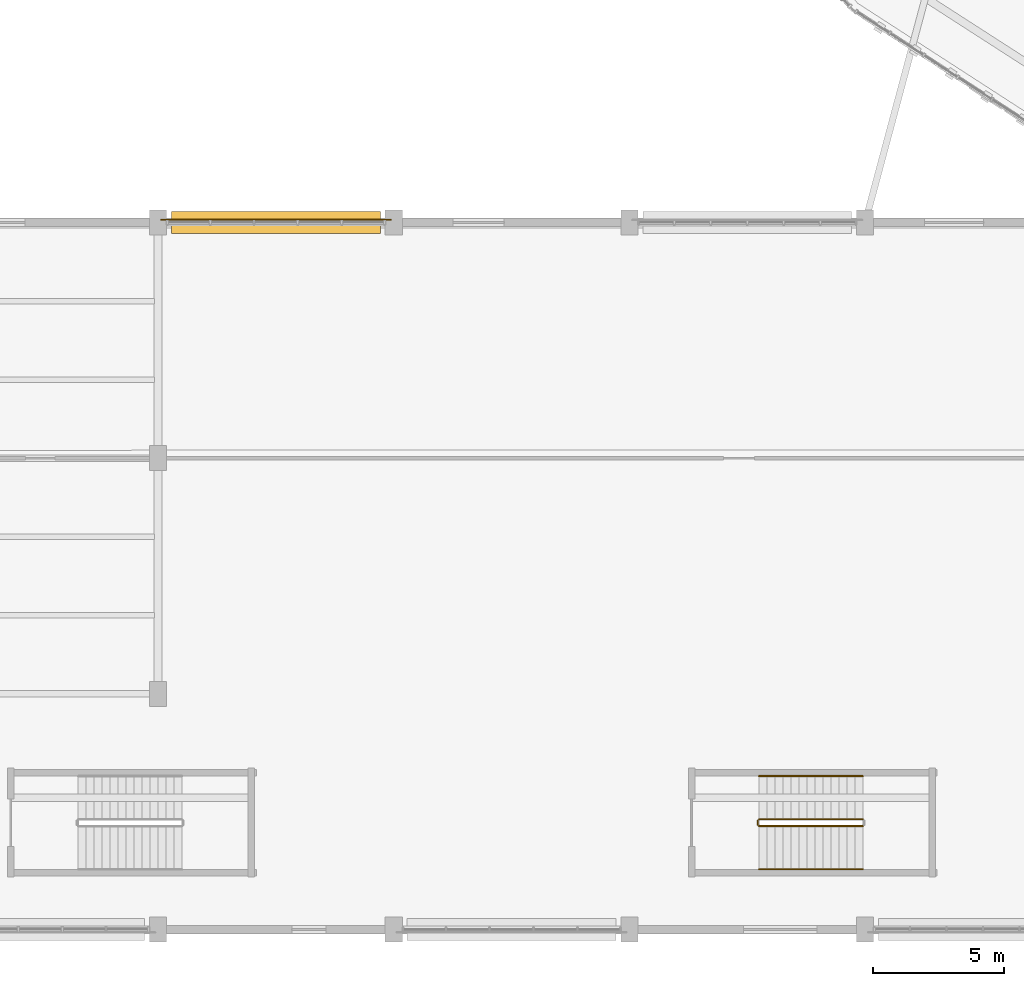
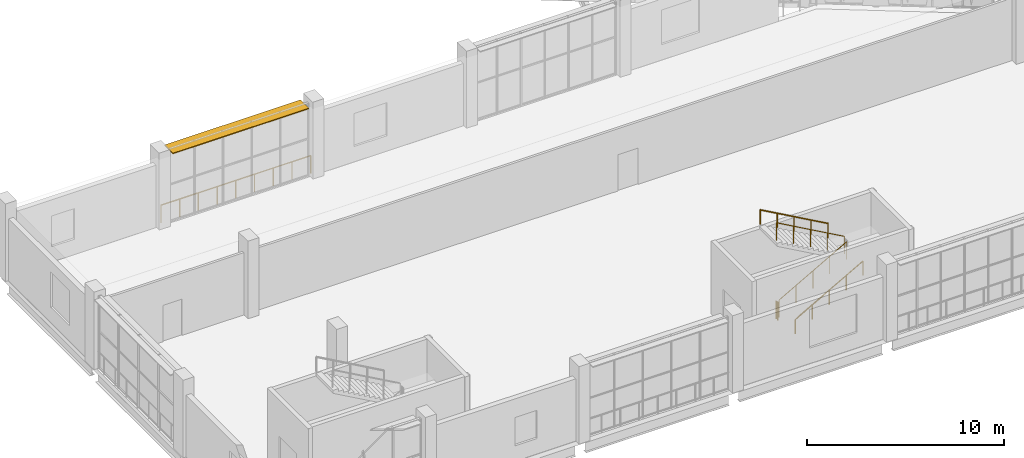
# One storey, part 126 of 179: 6 railings, 1 shading device.
"""IFC4 building model written with IfcOpenShell, lengths in metres."""

from ifc_helpers import new_model, si_unit, direction, frame, origin, origin_2d, place, context, subcontext, project, spatial, rectangle, circle, extrude, material, layer, layer_set, type_object, element, save


model = new_model("IFC4")

# Units and contexts
model_context = context("Model", 3, precision=1e-05, world=origin(), true_north=direction((0.0, 1.0)))
body_context = subcontext(model_context, "Body", "Model", "MODEL_VIEW")
ifc_project = project(units=[si_unit("LENGTHUNIT", "METRE"), si_unit("AREAUNIT", "SQUARE_METRE"), si_unit("VOLUMEUNIT", "CUBIC_METRE"), si_unit("PLANEANGLEUNIT", "RADIAN"), si_unit("MASSUNIT", "GRAM", prefix="KILO")], contexts=[model_context])

# Site, building, storey
site_placement = place(None, origin())
site = spatial("IfcSite", under=ifc_project, at=site_placement, CompositionType="ELEMENT")
building_placement = place(site_placement, origin())
building = spatial("IfcBuilding", under=site, at=building_placement, Name="Zevraka Park Crest Stadium", CompositionType="ELEMENT")
storey_placement = place(building_placement, frame((0.0, 0.0, 10.199951171875)))
storey = spatial("IfcBuildingStorey", under=building, at=storey_placement, Name="L02", CompositionType="ELEMENT", Elevation=10.199951171875)

# Railings
ifc_material_1 = material(Name="Galvanised and bronze-finished steel balustrade", Category="steel")
railing_type_1 = type_object("IfcRailingType", Name="GR01", PredefinedType="GUARDRAIL", material=ifc_material_1)
railing_1_placement = place(storey_placement, frame((18.115966796875, 27.10498046875, 0.0)))
element("IfcRailing", 1, at=railing_1_placement, inside=storey, type_object=railing_type_1, Name="Deck Edge Protection Guardrail GR01 L02-42", PredefinedType="GUARDRAIL", context=body_context, shape_type="SweptSolid", body=[
    extrude(circle(Radius=0.02392578125, at=origin_2d()), frame((0.0, 0.0, 1.076171875), z_axis=(1.0, 0.0, 0.0), x_axis=(0.0, 1.0, 0.0)), (0.0, 0.0, 1.0), 8.76806640625),
    extrude(circle(Radius=0.02099609375, at=origin_2d()), origin(), (0.0, 0.0, 1.0), 1.052001953125),
    extrude(circle(Radius=0.02099609375, at=origin_2d()), frame((1.095947265625, 0.0, 0.0)), (0.0, 0.0, 1.0), 1.052001953125),
    extrude(circle(Radius=0.02099609375, at=origin_2d()), frame((2.19189453125, 0.0, 0.0)), (0.0, 0.0, 1.0), 1.052001953125),
    extrude(circle(Radius=0.02099609375, at=origin_2d()), frame((3.2880859375, 0.0, 0.0)), (0.0, 0.0, 1.0), 1.052001953125),
    extrude(circle(Radius=0.02099609375, at=origin_2d()), frame((4.384033203125, 0.0, 0.0)), (0.0, 0.0, 1.0), 1.052001953125),
    extrude(circle(Radius=0.02099609375, at=origin_2d()), frame((5.47998046875, 0.0, 0.0)), (0.0, 0.0, 1.0), 1.052001953125),
    extrude(circle(Radius=0.02099609375, at=origin_2d()), frame((6.576171875, 0.0, 0.0)), (0.0, 0.0, 1.0), 1.052001953125),
    extrude(circle(Radius=0.02099609375, at=origin_2d()), frame((7.672119140625, 0.0, 0.0)), (0.0, 0.0, 1.0), 1.052001953125),
    extrude(circle(Radius=0.02099609375, at=origin_2d()), frame((8.76806640625, 0.0, 0.0)), (0.0, 0.0, 1.0), 1.052001953125),
])
ifc_material_2 = material(Name="Powder-coated tubular steel stairwell guard", Category="steel")
railing_type_2 = type_object("IfcRailingType", Name="GR03", PredefinedType="GUARDRAIL", material=ifc_material_2)
railing_2_placement = place(storey_placement, frame((40.949951171875, 3.949951171875, 0.17138671875)))
element("IfcRailing", 2, at=railing_2_placement, inside=storey, type_object=railing_type_2, Name="L02 ST52 stair guard 1", PredefinedType="GUARDRAIL", context=body_context, shape_type="SweptSolid", body=[
    extrude(circle(Radius=0.02392578125, at=origin_2d()), frame((0.0, 0.0, 1.076171875), z_axis=(0.871726007364, 0.0, 0.489993640861), x_axis=(0.0, 1.0, 0.0)), (0.0, 0.0, 1.0), 4.548583984375),
    extrude(circle(Radius=0.02099609375, at=origin_2d()), origin(), (0.0, 0.0, 1.0), 1.052001953125),
    extrude(circle(Radius=0.02099609375, at=origin_2d()), frame((0.9912109375, 0.0, 0.55712890625)), (0.0, 0.0, 1.0), 1.052001953125),
    extrude(circle(Radius=0.02099609375, at=origin_2d()), frame((1.982421875, 0.0, 1.1142578125)), (0.0, 0.0, 1.0), 1.052001953125),
    extrude(circle(Radius=0.02099609375, at=origin_2d()), frame((2.973876953125, 0.0, 1.671630859375)), (0.0, 0.0, 1.0), 1.052001953125),
    extrude(circle(Radius=0.02099609375, at=origin_2d()), frame((3.965087890625, 0.0, 2.228759765625)), (0.0, 0.0, 1.0), 1.052001953125),
])
railing_3_placement = place(storey_placement, frame((44.9150390625, 4.2099609375, 2.571533203125)))
element("IfcRailing", 3, at=railing_3_placement, inside=storey, type_object=railing_type_2, Name="L02 ST52 stair guard 3", PredefinedType="GUARDRAIL", context=body_context, shape_type="SweptSolid", body=[
    extrude(circle(Radius=0.02392578125, at=origin_2d()), frame((0.0, 0.0, 1.076171875), z_axis=(-0.871748933509, 0.0, 0.489952851738), x_axis=(0.0, -1.0, 0.0)), (0.0, 0.0, 1.0), 4.54833984375),
    extrude(circle(Radius=0.02099609375, at=origin_2d()), origin(), (0.0, 0.0, 1.0), 1.052001953125),
    extrude(circle(Radius=0.02099609375, at=origin_2d()), frame((-0.9912109375, 0.0, 0.55712890625)), (0.0, 0.0, 1.0), 1.052001953125),
    extrude(circle(Radius=0.02099609375, at=origin_2d()), frame((-1.982421875, 0.0, 1.1142578125)), (0.0, 0.0, 1.0), 1.052001953125),
    extrude(circle(Radius=0.02099609375, at=origin_2d()), frame((-2.973876953125, 0.0, 1.67138671875)), (0.0, 0.0, 1.0), 1.052001953125),
    extrude(circle(Radius=0.02099609375, at=origin_2d()), frame((-3.965087890625, 0.0, 2.228515625)), (0.0, 0.0, 1.0), 1.052001953125),
])
railing_4_placement = place(storey_placement, frame((40.89990234375, 4.0, 0.0)))
element("IfcRailing", 4, at=railing_4_placement, inside=storey, type_object=railing_type_2, Name="L02 ST52 stair guard 4", PredefinedType="GUARDRAIL", context=body_context, shape_type="SweptSolid", body=[
    extrude(circle(Radius=0.02392578125, at=origin_2d()), frame((0.0, 0.0, 1.076171875), z_axis=(0.0, 1.0, 0.0), x_axis=(-1.0, 0.0, 0.0)), (0.0, 0.0, 1.0), 0.159912109375),
    extrude(circle(Radius=0.02099609375, at=origin_2d()), origin(), (0.0, 0.0, 1.0), 1.052001953125),
    extrude(circle(Radius=0.02099609375, at=origin_2d()), frame((0.0, 0.159912109375, 0.0)), (0.0, 0.0, 1.0), 1.052001953125),
])
ifc_material_3 = material(Name="Brushed stainless steel continuous handrail", Category="steel")
railing_type_3 = type_object("IfcRailingType", Name="HR01", PredefinedType="HANDRAIL", material=ifc_material_3)
railing_5_placement = place(storey_placement, frame((40.949951171875, 2.300048828125, 0.17138671875)))
element("IfcRailing", 5, at=railing_5_placement, inside=storey, type_object=railing_type_3, Name="L02 ST52 stair handrail 1", PredefinedType="HANDRAIL", context=body_context, shape_type="SweptSolid", body=[
    extrude(circle(Radius=0.02392578125, at=origin_2d()), frame((0.0, 0.0, 0.8759765625), z_axis=(0.871726007364, 0.0, 0.489993640861), x_axis=(0.0, 1.0, 0.0)), (0.0, 0.0, 1.0), 4.548583984375),
    extrude(circle(Radius=0.02099609375, at=origin_2d()), origin(), (0.0, 0.0, 1.0), 0.851806640625),
    extrude(circle(Radius=0.02099609375, at=origin_2d()), frame((0.9912109375, 0.0, 0.55712890625)), (0.0, 0.0, 1.0), 0.851806640625),
    extrude(circle(Radius=0.02099609375, at=origin_2d()), frame((1.982421875, 0.0, 1.1142578125)), (0.0, 0.0, 1.0), 0.851806640625),
    extrude(circle(Radius=0.02099609375, at=origin_2d()), frame((2.973876953125, 0.0, 1.671630859375)), (0.0, 0.0, 1.0), 0.851806640625),
    extrude(circle(Radius=0.02099609375, at=origin_2d()), frame((3.965087890625, 0.0, 2.228759765625)), (0.0, 0.0, 1.0), 0.851806640625),
])
railing_6_placement = place(storey_placement, frame((44.9150390625, 5.860107421875, 2.571533203125)))
element("IfcRailing", 6, at=railing_6_placement, inside=storey, type_object=railing_type_3, Name="L02 ST52 stair handrail 2", PredefinedType="HANDRAIL", context=body_context, shape_type="SweptSolid", body=[
    extrude(circle(Radius=0.02392578125, at=origin_2d()), frame((0.0, 0.0, 0.8759765625), z_axis=(-0.871748933509, 0.0, 0.489952851738), x_axis=(0.0, -1.0, 0.0)), (0.0, 0.0, 1.0), 4.54833984375),
    extrude(circle(Radius=0.02099609375, at=origin_2d()), origin(), (0.0, 0.0, 1.0), 0.851806640625),
    extrude(circle(Radius=0.02099609375, at=origin_2d()), frame((-0.9912109375, 0.0, 0.55712890625)), (0.0, 0.0, 1.0), 0.851806640625),
    extrude(circle(Radius=0.02099609375, at=origin_2d()), frame((-1.982421875, 0.0, 1.1142578125)), (0.0, 0.0, 1.0), 0.851806640625),
    extrude(circle(Radius=0.02099609375, at=origin_2d()), frame((-2.973876953125, 0.0, 1.67138671875)), (0.0, 0.0, 1.0), 0.851806640625),
    extrude(circle(Radius=0.02099609375, at=origin_2d()), frame((-3.965087890625, 0.0, 2.228515625)), (0.0, 0.0, 1.0), 0.851806640625),
])

# Shading device
ifc_material_4 = material(Name="Architectural golden-bronze anodised bronze", Category="aluminium")
ifc_layer = layer(ifc_material_4, 0.06005859375)
ifc_layer_set = layer_set([ifc_layer], Name="Architectural golden-bronze anodised bronze")
shading_device_type = type_object("IfcShadingDeviceType", Name="SHD01", PredefinedType="USERDEFINED", material=ifc_layer_set)
shading_device_placement = place(storey_placement, frame((22.5, 27.0, 4.419921875), z_axis=(0.0, 0.0, 1.0), x_axis=(1.0, 0.0, 0.0)))
element("IfcShadingDevice", 7, at=shading_device_placement, inside=storey, type_object=shading_device_type, Name="Wing Bronze Solar Screen SHD01 L02-SW-N-2", ObjectType="SOLAR SCREEN", PredefinedType="USERDEFINED", context=body_context, shape_type="SweptSolid", body=[
    extrude(rectangle(XDim=7.969970703125, YDim=0.85009765625, at=origin_2d()), origin(), (0.0, 0.0, 1.0), 0.06005859375),
])

save(model, "model.ifc")
